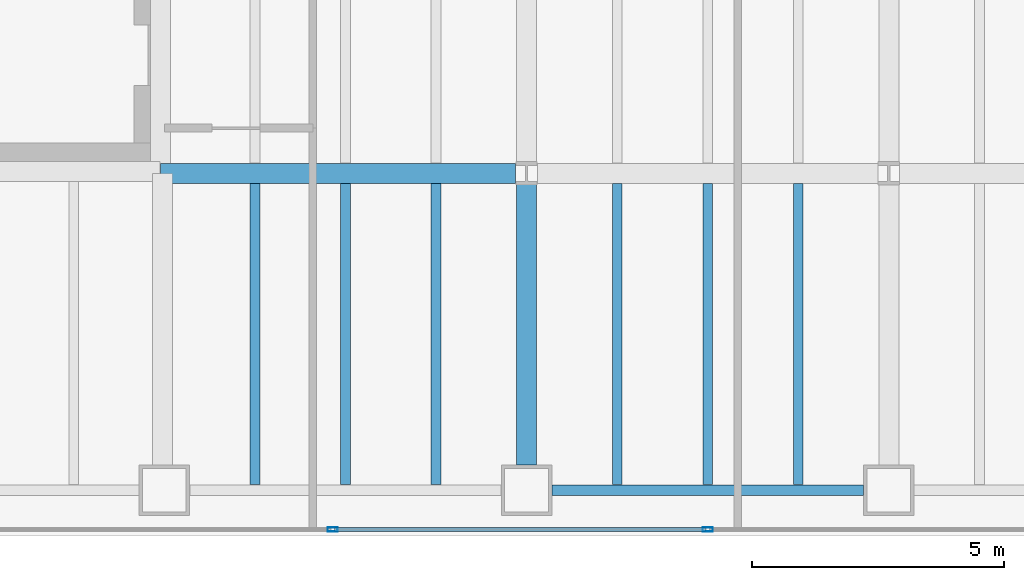
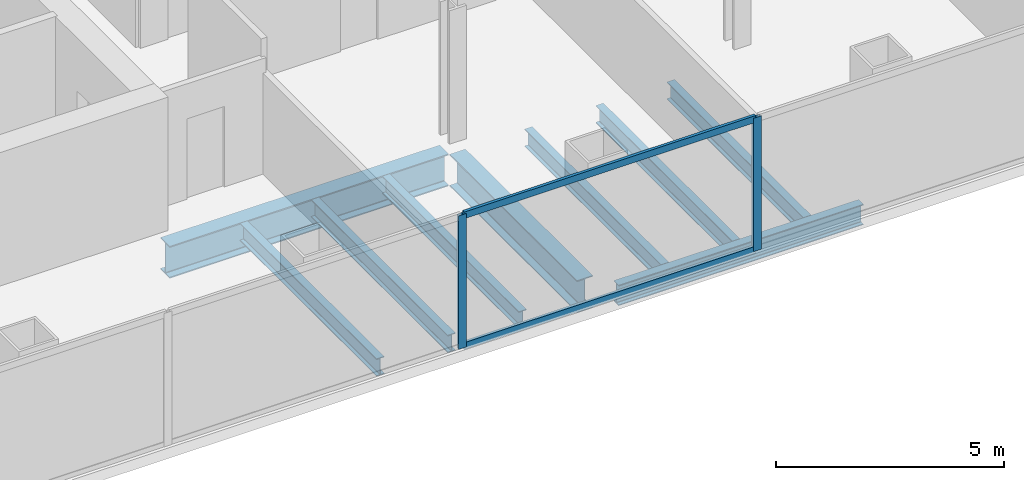
# One storey, part 4 of 23: 9 beams, 4 members, 1 element without a shape of its own.
"""IFC4 building model written with IfcOpenShell, lengths in metres."""

from ifc_helpers import new_model, si_unit, direction, frame, origin, origin_2d, place, context, subcontext, project, spatial, hollow_rectangle, i_section, extrude, material, material_profile, profile_set, type_object, element, aggregate, save


model = new_model("IFC4")

# Units and contexts
model_context = context("Model", 3, precision=1e-05, world=origin(), true_north=direction((0.0, 1.0)))
body_context = subcontext(model_context, "Body", "Model", "MODEL_VIEW")
ifc_project = project(units=[si_unit("LENGTHUNIT", "METRE"), si_unit("AREAUNIT", "SQUARE_METRE"), si_unit("VOLUMEUNIT", "CUBIC_METRE"), si_unit("PLANEANGLEUNIT", "RADIAN"), si_unit("MASSUNIT", "GRAM", prefix="KILO")], contexts=[model_context])

# Site, building, storey
site_placement = place(None, origin())
site = spatial("IfcSite", under=ifc_project, at=site_placement, CompositionType="ELEMENT")
building_placement = place(site_placement, origin())
building = spatial("IfcBuilding", under=site, at=building_placement, Name="Cobrela Telecom Tower", CompositionType="ELEMENT")
storey_placement = place(building_placement, frame((0.0, 0.0, 65.800048828125)))
storey = spatial("IfcBuildingStorey", under=building, at=storey_placement, Name="L16", CompositionType="ELEMENT", Elevation=65.800048828125)

# Beams
ifc_material_1 = material(Name="Steel ASTM A992 Grade 50", Category="steel")
ifc_material_profile_1 = material_profile(ifc_material_1, i_section(OverallWidth=0.39892578125, OverallDepth=0.85595703125, WebThickness=0.018310546875, FlangeThickness=0.029296875, FilletRadius=0.02001953125, at=origin_2d()), Name="W33X201")
ifc_profile_set_1 = profile_set([ifc_material_profile_1], Name="Steel ASTM A992 Grade 50")
beam_type_1 = type_object("IfcBeamType", Name="BM-GIRD-03", PredefinedType="USERDEFINED", material=ifc_profile_set_1)
beam_1_placement = place(storey_placement, frame((14.324951171875, 7.199951171875, -0.7080078125), z_axis=(1.0, 0.0, 0.0), x_axis=(0.0, 1.0, 0.0)))
element("IfcBeam", 1, at=beam_1_placement, inside=storey, type_object=beam_type_1, Name="L16 Primary Girder X08", ObjectType="GIRDER", PredefinedType="USERDEFINED", context=body_context, shape_type="SweptSolid", body=[
    extrude(i_section(OverallWidth=0.39892578125, OverallDepth=0.85595703125, WebThickness=0.018310546875, FlangeThickness=0.029296875, FilletRadius=0.02001953125, at=origin_2d()), origin(), (0.0, 0.0, 1.0), 7.05908203125),
])
beam_2_placement = place(storey_placement, frame((21.60009765625, 1.405029296875, -0.7080078125), z_axis=(0.0, 1.0, 0.0), x_axis=(-1.0, 0.0, 0.0)))
element("IfcBeam", 2, at=beam_2_placement, inside=storey, type_object=beam_type_1, Name="L16 Primary Girder Y40", ObjectType="GIRDER", PredefinedType="USERDEFINED", context=body_context, shape_type="SweptSolid", body=[
    extrude(i_section(OverallWidth=0.39892578125, OverallDepth=0.85595703125, WebThickness=0.018310546875, FlangeThickness=0.029296875, FilletRadius=0.02001953125, at=origin_2d()), origin(), (0.0, 0.0, 1.0), 5.578857421875),
])
ifc_material_profile_2 = material_profile(ifc_material_1, i_section(OverallWidth=0.193115234375, OverallDepth=0.467041015625, WebThickness=0.011474609375, FlangeThickness=0.01904296875, FilletRadius=0.012939453125, at=origin_2d()), Name="W18X65")
ifc_profile_set_2 = profile_set([ifc_material_profile_2], Name="Steel ASTM A992 Grade 50")
beam_type_2 = type_object("IfcBeamType", Name="BM-JOIST-03", PredefinedType="JOIST", material=ifc_profile_set_2)
for number, where, z_axis, x_axis, name in (
    (3, (16.199951171875, 1.011474609375, -0.513427734375), (0.0, 1.0, 0.0), (-1.0, 0.0, 0.0), "L16 Secondary Composite Floor Beam J07"),
    (4, (18.0, 1.011474609375, -0.513427734375), (0.0, 1.0, 0.0), (-1.0, 0.0, 0.0), "L16 Secondary Composite Floor Beam J13"),
    (5, (19.800048828125, 1.011474609375, -0.513427734375), (0.0, 1.0, 0.0), (-1.0, 0.0, 0.0), "L16 Secondary Composite Floor Beam J19"),
    (6, (23.39990234375, 1.011474609375, -0.513427734375), (0.0, 1.0, 0.0), (-1.0, 0.0, 0.0), "L16 Secondary Composite Floor Beam J25"),
    (7, (25.199951171875, 1.011474609375, -0.513427734375), (0.0, 1.0, 0.0), (-1.0, 0.0, 0.0), "L16 Secondary Composite Floor Beam J31"),
    (8, (27.0, 1.011474609375, -0.513427734375), (0.0, 1.0, 0.0), (-1.0, 0.0, 0.0), "L16 Secondary Composite Floor Beam J36"),
):
    element("IfcBeam", number, at=place(storey_placement, frame(where, z_axis=z_axis, x_axis=x_axis)), inside=storey, type_object=beam_type_2, Name=name, PredefinedType="JOIST", context=body_context, shape_type="SweptSolid", body=[
        extrude(i_section(OverallWidth=0.193115234375, OverallDepth=0.467041015625, WebThickness=0.011474609375, FlangeThickness=0.01904296875, FilletRadius=0.012939453125, at=origin_2d()), origin(), (0.0, 0.0, 1.0), 5.984130859375),
    ])
ifc_material_profile_3 = material_profile(ifc_material_1, i_section(OverallWidth=0.212890625, OverallDepth=0.549072265625, WebThickness=0.0146484375, FlangeThickness=0.023681640625, FilletRadius=0.013916015625, at=origin_2d()), Name="W21X93")
ifc_profile_set_3 = profile_set([ifc_material_profile_3], Name="Steel ASTM A992 Grade 50")
beam_type_3 = type_object("IfcBeamType", Name="BM-SPAND-03", PredefinedType="SPANDREL", material=ifc_profile_set_3)
beam_3_placement = place(storey_placement, frame((22.10498046875, 0.89990234375, -0.554443359375), z_axis=(1.0, 0.0, 0.0), x_axis=(0.0, 1.0, 0.0)))
element("IfcBeam", 9, at=beam_3_placement, inside=storey, type_object=beam_type_3, Name="L16 Perimeter Spandrel X03", PredefinedType="SPANDREL", context=body_context, shape_type="SweptSolid", body=[
    extrude(i_section(OverallWidth=0.212890625, OverallDepth=0.549072265625, WebThickness=0.0146484375, FlangeThickness=0.023681640625, FilletRadius=0.013916015625, at=origin_2d()), origin(), (0.0, 0.0, 1.0), 6.18994140625),
])

# Curtain wall, members
ifc_material_2 = material(Name="Anodized Bronze Aluminium 6063-T6", Category="aluminium")
curtain_wall_type = type_object("IfcCurtainWallType", Name="CW-SYS-DATA", PredefinedType="USERDEFINED", material=ifc_material_2)
curtain_wall_placement = place(storey_placement, origin())
curtain_wall = element("IfcCurtainWall", 10, at=curtain_wall_placement, inside=storey, type_object=curtain_wall_type, Name="L16 Unitised Bronze Curtain Wall 17", ObjectType="UNITISED CURTAIN WALL", PredefinedType="USERDEFINED")
ifc_material_profile_4 = material_profile(ifc_material_2, hollow_rectangle(XDim=0.080078125, YDim=0.199951171875, WallThickness=0.00390625, at=origin_2d()), Name="ALU 80x200x4")
ifc_profile_set_4 = profile_set([ifc_material_profile_4], Name="Anodized Bronze Aluminium 6063-T6")
member_type_1 = type_object("IfcMemberType", Name="CW-SYS-DATA-MUL", PredefinedType="MULLION", material=ifc_profile_set_4)
member_1_placement = place(storey_placement, frame((25.199951171875, 0.1201171875, 0.0), z_axis=(0.0, 0.0, 1.0), x_axis=(0.0, -1.0, 0.0)))
member_1 = element("IfcMember", 11, at=member_1_placement, type_object=member_type_1, Name="CW-DATA mullion 4", PredefinedType="MULLION", context=body_context, shape_type="SweptSolid", body=[
    extrude(hollow_rectangle(XDim=0.080078125, YDim=0.199951171875, WallThickness=0.00390625, at=origin_2d()), origin(), (0.0, 0.0, 1.0), 3.570068359375),
])
member_2_placement = place(storey_placement, frame((17.743408203125, 0.1201171875, 0.0), z_axis=(0.0, 0.0, 1.0), x_axis=(0.0, -1.0, 0.0)))
member_2 = element("IfcMember", 12, at=member_2_placement, type_object=member_type_1, Name="CW-DATA mullion 5", PredefinedType="MULLION", context=body_context, shape_type="SweptSolid", body=[
    extrude(hollow_rectangle(XDim=0.080078125, YDim=0.199951171875, WallThickness=0.00390625, at=origin_2d()), origin(), (0.0, 0.0, 1.0), 3.570068359375),
])
ifc_material_profile_5 = material_profile(ifc_material_2, hollow_rectangle(XDim=0.074951171875, YDim=0.179931640625, WallThickness=0.00390625, at=origin_2d()), Name="ALU 75x180x4")
ifc_profile_set_5 = profile_set([ifc_material_profile_5], Name="Anodized Bronze Aluminium 6063-T6")
member_type_2 = type_object("IfcMemberType", Name="CW-SYS-DATA-TRN", PredefinedType="USERDEFINED", material=ifc_profile_set_5)
member_3_placement = place(storey_placement, frame((25.159912109375, 0.1201171875, 0.037353515625), z_axis=(-1.0, 0.0, 0.0), x_axis=(0.0, -1.0, 0.0)))
member_3 = element("IfcMember", 13, at=member_3_placement, type_object=member_type_2, Name="CW-DATA transom 4.1", ObjectType="TRANSOM", PredefinedType="USERDEFINED", context=body_context, shape_type="SweptSolid", body=[
    extrude(hollow_rectangle(XDim=0.074951171875, YDim=0.179931640625, WallThickness=0.00390625, at=origin_2d()), origin(), (0.0, 0.0, 1.0), 7.37646484375),
])
member_4_placement = place(storey_placement, frame((25.159912109375, 0.1201171875, 3.532470703125), z_axis=(-1.0, 0.0, 0.0), x_axis=(0.0, -1.0, 0.0)))
member_4 = element("IfcMember", 14, at=member_4_placement, type_object=member_type_2, Name="CW-DATA transom 4.2", ObjectType="TRANSOM", PredefinedType="USERDEFINED", context=body_context, shape_type="SweptSolid", body=[
    extrude(hollow_rectangle(XDim=0.074951171875, YDim=0.179931640625, WallThickness=0.00390625, at=origin_2d()), origin(), (0.0, 0.0, 1.0), 7.37646484375),
])
aggregate(curtain_wall, [member_1, member_2, member_3, member_4])

save(model, "model.ifc")
